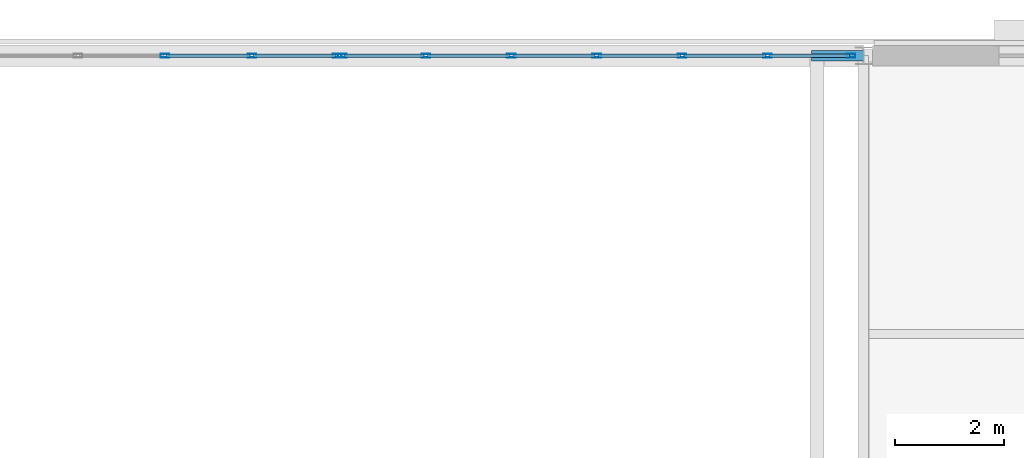
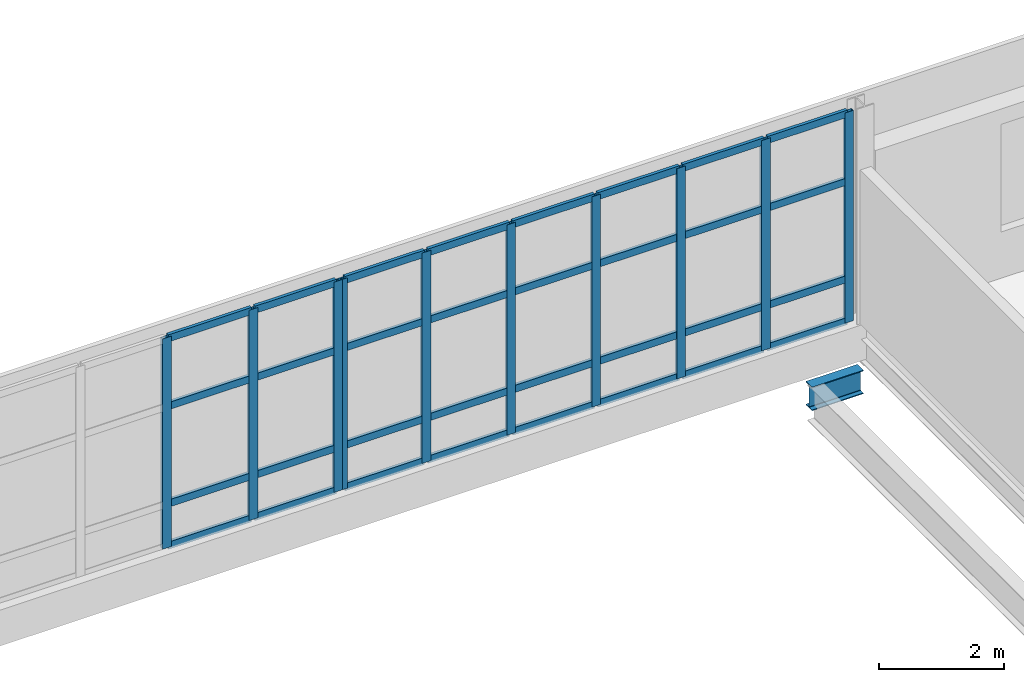
# One storey, part 59 of 170: 42 members, 1 beam, 2 elements without a shape of their own.
"""IFC4 building model written with IfcOpenShell, lengths in metres."""

from ifc_helpers import new_model, si_unit, direction, frame, origin, origin_2d, place, context, subcontext, project, spatial, hollow_rectangle, i_section, extrude, material, material_profile, profile_set, type_object, element, aggregate, save


model = new_model("IFC4")

# Units and contexts
model_context = context("Model", 3, precision=1e-05, world=origin(), true_north=direction((0.0, 1.0)))
body_context = subcontext(model_context, "Body", "Model", "MODEL_VIEW")
ifc_project = project(units=[si_unit("LENGTHUNIT", "METRE"), si_unit("AREAUNIT", "SQUARE_METRE"), si_unit("VOLUMEUNIT", "CUBIC_METRE"), si_unit("PLANEANGLEUNIT", "RADIAN"), si_unit("MASSUNIT", "GRAM", prefix="KILO")], contexts=[model_context])

# Site, building, storey
site_placement = place(None, origin())
site = spatial("IfcSite", under=ifc_project, at=site_placement, CompositionType="ELEMENT")
building_placement = place(site_placement, origin())
building = spatial("IfcBuilding", under=site, at=building_placement, Name="Vondelvale Polytechnic", CompositionType="ELEMENT")
storey_placement = place(building_placement, frame((0.0, 0.0, 5.39990234375)))
storey = spatial("IfcBuildingStorey", under=building, at=storey_placement, Name="L01", CompositionType="ELEMENT", Elevation=5.39990234375)

# Beam
ifc_material_1 = material(Name="Steel 300PLUS (fy = 300 MPa)", Category="steel")
ifc_material_profile_1 = material_profile(ifc_material_1, i_section(OverallWidth=0.19091796875, OverallDepth=0.4599609375, WebThickness=0.010009765625, FlangeThickness=0.01611328125, FilletRadius=0.011474609375, at=origin_2d()), Name="460UB82.1")
ifc_profile_set_1 = profile_set([ifc_material_profile_1], Name="Steel 300PLUS (fy = 300 MPa)")
beam_type = type_object("IfcBeamType", Name="BM-UB460H", PredefinedType="BEAM", material=ifc_profile_set_1)
beam_placement = place(storey_placement, frame((27.85009765625, 122.39990234375, -1.2099609375), z_axis=(1.0, 0.0, 0.0), x_axis=(0.0, 1.0, 0.0)))
element("IfcBeam", 1, at=beam_placement, inside=storey, type_object=beam_type, Name="L01 CRB B-12", PredefinedType="BEAM", context=body_context, shape_type="SweptSolid", body=[
    extrude(i_section(OverallWidth=0.19091796875, OverallDepth=0.4599609375, WebThickness=0.010009765625, FlangeThickness=0.01611328125, FilletRadius=0.011474609375, at=origin_2d()), origin(), (0.0, 0.0, 1.0), 0.949951171875),
])

# Curtain wall, members
ifc_material_2 = material(Name="Anodised extruded aluminium 6063-T6", Category="aluminium")
curtain_wall_type = type_object("IfcCurtainWallType", Name="CW-STUDIO-NORTH", PredefinedType="NOTDEFINED", material=ifc_material_2)
curtain_wall_1_placement = place(storey_placement, origin())
curtain_wall_1 = element("IfcCurtainWall", 2, at=curtain_wall_1_placement, inside=storey, type_object=curtain_wall_type, Name="L01 architectural curtain wall CW-01-002", PredefinedType="NOTDEFINED")
ifc_material_profile_2 = material_profile(ifc_material_2, hollow_rectangle(XDim=0.06494140625, YDim=0.159912109375, WallThickness=0.0048828125, at=origin_2d()), Name="CW-MUL-160x65")
ifc_profile_set_2 = profile_set([ifc_material_profile_2], Name="Anodised extruded aluminium 6063-T6")
member_type_1 = type_object("IfcMemberType", Name="CW-MUL-65x160", PredefinedType="MULLION", material=ifc_profile_set_2)
member_1_placement = place(storey_placement, frame((15.9951171875, 122.39990234375, 0.0), z_axis=(0.0, 0.0, 1.0), x_axis=(0.0, 1.0, 0.0)))
member_1 = element("IfcMember", 3, at=member_1_placement, type_object=member_type_1, Name="CW-01-002 mullion 5", PredefinedType="MULLION", context=body_context, shape_type="SweptSolid", body=[
    extrude(hollow_rectangle(XDim=0.06494140625, YDim=0.159912109375, WallThickness=0.0048828125, at=origin_2d()), origin(), (0.0, 0.0, 1.0), 4.10009765625),
])
member_2_placement = place(storey_placement, frame((17.590087890625, 122.39990234375, 0.0), z_axis=(0.0, 0.0, 1.0), x_axis=(0.0, 1.0, 0.0)))
member_2 = element("IfcMember", 4, at=member_2_placement, type_object=member_type_1, Name="CW-01-002 mullion 6", PredefinedType="MULLION", context=body_context, shape_type="SweptSolid", body=[
    extrude(hollow_rectangle(XDim=0.06494140625, YDim=0.159912109375, WallThickness=0.0048828125, at=origin_2d()), origin(), (0.0, 0.0, 1.0), 4.10009765625),
])
member_3_placement = place(storey_placement, frame((19.152587890625, 122.39990234375, 0.0), z_axis=(0.0, 0.0, 1.0), x_axis=(0.0, 1.0, 0.0)))
member_3 = element("IfcMember", 5, at=member_3_placement, type_object=member_type_1, Name="CW-01-002 mullion 7", PredefinedType="MULLION", context=body_context, shape_type="SweptSolid", body=[
    extrude(hollow_rectangle(XDim=0.06494140625, YDim=0.159912109375, WallThickness=0.0048828125, at=origin_2d()), origin(), (0.0, 0.0, 1.0), 4.10009765625),
])

curtain_wall_2_placement = place(storey_placement, origin())
curtain_wall_2 = element("IfcCurtainWall", 6, at=curtain_wall_2_placement, inside=storey, type_object=curtain_wall_type, Name="L01 architectural curtain wall CW-01-003", PredefinedType="NOTDEFINED")
member_4_placement = place(storey_placement, frame((19.24755859375, 122.39990234375, 0.0), z_axis=(0.0, 0.0, 1.0), x_axis=(0.0, 1.0, 0.0)))
member_4 = element("IfcMember", 7, at=member_4_placement, type_object=member_type_1, Name="CW-01-003 mullion 1", PredefinedType="MULLION", context=body_context, shape_type="SweptSolid", body=[
    extrude(hollow_rectangle(XDim=0.06494140625, YDim=0.159912109375, WallThickness=0.0048828125, at=origin_2d()), origin(), (0.0, 0.0, 1.0), 4.10009765625),
])
member_5_placement = place(storey_placement, frame((20.7802734375, 122.39990234375, 0.0), z_axis=(0.0, 0.0, 1.0), x_axis=(0.0, 1.0, 0.0)))
member_5 = element("IfcMember", 8, at=member_5_placement, type_object=member_type_1, Name="CW-01-003 mullion 2", PredefinedType="MULLION", context=body_context, shape_type="SweptSolid", body=[
    extrude(hollow_rectangle(XDim=0.06494140625, YDim=0.159912109375, WallThickness=0.0048828125, at=origin_2d()), origin(), (0.0, 0.0, 1.0), 4.10009765625),
])
member_6_placement = place(storey_placement, frame((22.345458984375, 122.39990234375, 0.0), z_axis=(0.0, 0.0, 1.0), x_axis=(0.0, 1.0, 0.0)))
member_6 = element("IfcMember", 9, at=member_6_placement, type_object=member_type_1, Name="CW-01-003 mullion 3", PredefinedType="MULLION", context=body_context, shape_type="SweptSolid", body=[
    extrude(hollow_rectangle(XDim=0.06494140625, YDim=0.159912109375, WallThickness=0.0048828125, at=origin_2d()), origin(), (0.0, 0.0, 1.0), 4.10009765625),
])
member_7_placement = place(storey_placement, frame((23.91064453125, 122.39990234375, 0.0), z_axis=(0.0, 0.0, 1.0), x_axis=(0.0, 1.0, 0.0)))
member_7 = element("IfcMember", 10, at=member_7_placement, type_object=member_type_1, Name="CW-01-003 mullion 4", PredefinedType="MULLION", context=body_context, shape_type="SweptSolid", body=[
    extrude(hollow_rectangle(XDim=0.06494140625, YDim=0.159912109375, WallThickness=0.0048828125, at=origin_2d()), origin(), (0.0, 0.0, 1.0), 4.10009765625),
])
member_8_placement = place(storey_placement, frame((25.47607421875, 122.39990234375, 0.0), z_axis=(0.0, 0.0, 1.0), x_axis=(0.0, 1.0, 0.0)))
member_8 = element("IfcMember", 11, at=member_8_placement, type_object=member_type_1, Name="CW-01-003 mullion 5", PredefinedType="MULLION", context=body_context, shape_type="SweptSolid", body=[
    extrude(hollow_rectangle(XDim=0.06494140625, YDim=0.159912109375, WallThickness=0.0048828125, at=origin_2d()), origin(), (0.0, 0.0, 1.0), 4.10009765625),
])
member_9_placement = place(storey_placement, frame((27.041259765625, 122.39990234375, 0.0), z_axis=(0.0, 0.0, 1.0), x_axis=(0.0, 1.0, 0.0)))
member_9 = element("IfcMember", 12, at=member_9_placement, type_object=member_type_1, Name="CW-01-003 mullion 6", PredefinedType="MULLION", context=body_context, shape_type="SweptSolid", body=[
    extrude(hollow_rectangle(XDim=0.06494140625, YDim=0.159912109375, WallThickness=0.0048828125, at=origin_2d()), origin(), (0.0, 0.0, 1.0), 4.10009765625),
])
member_10_placement = place(storey_placement, frame((28.573974609375, 122.39990234375, 0.0), z_axis=(0.0, 0.0, 1.0), x_axis=(0.0, 1.0, 0.0)))
member_10 = element("IfcMember", 13, at=member_10_placement, type_object=member_type_1, Name="CW-01-003 mullion 7", PredefinedType="MULLION", context=body_context, shape_type="SweptSolid", body=[
    extrude(hollow_rectangle(XDim=0.06494140625, YDim=0.159912109375, WallThickness=0.0048828125, at=origin_2d()), origin(), (0.0, 0.0, 1.0), 4.10009765625),
])

# Member
ifc_material_profile_3 = material_profile(ifc_material_2, hollow_rectangle(XDim=0.06005859375, YDim=0.139892578125, WallThickness=0.00341796875, at=origin_2d()), Name="CW-TRN-140x60")
ifc_profile_set_3 = profile_set([ifc_material_profile_3], Name="Anodised extruded aluminium 6063-T6")
member_type_2 = type_object("IfcMemberType", Name="CW-TRN-60x140", PredefinedType="USERDEFINED", material=ifc_profile_set_3)
member_11_placement = place(storey_placement, frame((16.027587890625, 122.39990234375, 0.030029296875), z_axis=(1.0, 0.0, 0.0), x_axis=(0.0, 1.0, 0.0)))
member_11 = element("IfcMember", 14, at=member_11_placement, type_object=member_type_2, Name="CW-01-002 transom 5.1", ObjectType="TRANSOM", PredefinedType="USERDEFINED", context=body_context, shape_type="SweptSolid", body=[
    extrude(hollow_rectangle(XDim=0.06005859375, YDim=0.139892578125, WallThickness=0.00341796875, at=origin_2d()), origin(), (0.0, 0.0, 1.0), 1.530029296875),
])

member_12_placement = place(storey_placement, frame((16.027587890625, 122.39990234375, 0.85009765625), z_axis=(1.0, 0.0, 0.0), x_axis=(0.0, 1.0, 0.0)))
member_12 = element("IfcMember", 15, at=member_12_placement, type_object=member_type_2, Name="CW-01-002 transom 5.2", ObjectType="TRANSOM", PredefinedType="USERDEFINED", context=body_context, shape_type="SweptSolid", body=[
    extrude(hollow_rectangle(XDim=0.06005859375, YDim=0.139892578125, WallThickness=0.00341796875, at=origin_2d()), origin(), (0.0, 0.0, 1.0), 1.530029296875),
])

member_13_placement = place(storey_placement, frame((16.027587890625, 122.39990234375, 2.75), z_axis=(1.0, 0.0, 0.0), x_axis=(0.0, 1.0, 0.0)))
member_13 = element("IfcMember", 16, at=member_13_placement, type_object=member_type_2, Name="CW-01-002 transom 5.3", ObjectType="TRANSOM", PredefinedType="USERDEFINED", context=body_context, shape_type="SweptSolid", body=[
    extrude(hollow_rectangle(XDim=0.06005859375, YDim=0.139892578125, WallThickness=0.00341796875, at=origin_2d()), origin(), (0.0, 0.0, 1.0), 1.530029296875),
])

member_14_placement = place(storey_placement, frame((16.027587890625, 122.39990234375, 4.070068359375), z_axis=(1.0, 0.0, 0.0), x_axis=(0.0, 1.0, 0.0)))
member_14 = element("IfcMember", 17, at=member_14_placement, type_object=member_type_2, Name="CW-01-002 transom 5.4", ObjectType="TRANSOM", PredefinedType="USERDEFINED", context=body_context, shape_type="SweptSolid", body=[
    extrude(hollow_rectangle(XDim=0.06005859375, YDim=0.139892578125, WallThickness=0.00341796875, at=origin_2d()), origin(), (0.0, 0.0, 1.0), 1.530029296875),
])

member_15_placement = place(storey_placement, frame((17.62255859375, 122.39990234375, 0.030029296875), z_axis=(1.0, 0.0, 0.0), x_axis=(0.0, 1.0, 0.0)))
member_15 = element("IfcMember", 18, at=member_15_placement, type_object=member_type_2, Name="CW-01-002 transom 6.1", ObjectType="TRANSOM", PredefinedType="USERDEFINED", context=body_context, shape_type="SweptSolid", body=[
    extrude(hollow_rectangle(XDim=0.06005859375, YDim=0.139892578125, WallThickness=0.00341796875, at=origin_2d()), origin(), (0.0, 0.0, 1.0), 1.49755859375),
])

member_16_placement = place(storey_placement, frame((17.62255859375, 122.39990234375, 0.85009765625), z_axis=(1.0, 0.0, 0.0), x_axis=(0.0, 1.0, 0.0)))
member_16 = element("IfcMember", 19, at=member_16_placement, type_object=member_type_2, Name="CW-01-002 transom 6.2", ObjectType="TRANSOM", PredefinedType="USERDEFINED", context=body_context, shape_type="SweptSolid", body=[
    extrude(hollow_rectangle(XDim=0.06005859375, YDim=0.139892578125, WallThickness=0.00341796875, at=origin_2d()), origin(), (0.0, 0.0, 1.0), 1.49755859375),
])

member_17_placement = place(storey_placement, frame((17.62255859375, 122.39990234375, 2.75), z_axis=(1.0, 0.0, 0.0), x_axis=(0.0, 1.0, 0.0)))
member_17 = element("IfcMember", 20, at=member_17_placement, type_object=member_type_2, Name="CW-01-002 transom 6.3", ObjectType="TRANSOM", PredefinedType="USERDEFINED", context=body_context, shape_type="SweptSolid", body=[
    extrude(hollow_rectangle(XDim=0.06005859375, YDim=0.139892578125, WallThickness=0.00341796875, at=origin_2d()), origin(), (0.0, 0.0, 1.0), 1.49755859375),
])

member_18_placement = place(storey_placement, frame((17.62255859375, 122.39990234375, 4.070068359375), z_axis=(1.0, 0.0, 0.0), x_axis=(0.0, 1.0, 0.0)))
member_18 = element("IfcMember", 21, at=member_18_placement, type_object=member_type_2, Name="CW-01-002 transom 6.4", ObjectType="TRANSOM", PredefinedType="USERDEFINED", context=body_context, shape_type="SweptSolid", body=[
    extrude(hollow_rectangle(XDim=0.06005859375, YDim=0.139892578125, WallThickness=0.00341796875, at=origin_2d()), origin(), (0.0, 0.0, 1.0), 1.49755859375),
])

aggregate(curtain_wall_1, [member_1, member_2, member_3, member_11, member_12, member_13, member_14, member_15, member_16, member_17, member_18])

member_19_placement = place(storey_placement, frame((19.280029296875, 122.39990234375, 0.030029296875), z_axis=(1.0, 0.0, 0.0), x_axis=(0.0, 1.0, 0.0)))
member_19 = element("IfcMember", 22, at=member_19_placement, type_object=member_type_2, Name="CW-01-003 transom 1.1", ObjectType="TRANSOM", PredefinedType="USERDEFINED", context=body_context, shape_type="SweptSolid", body=[
    extrude(hollow_rectangle(XDim=0.06005859375, YDim=0.139892578125, WallThickness=0.00341796875, at=origin_2d()), origin(), (0.0, 0.0, 1.0), 1.4677734375),
])

member_20_placement = place(storey_placement, frame((19.280029296875, 122.39990234375, 0.85009765625), z_axis=(1.0, 0.0, 0.0), x_axis=(0.0, 1.0, 0.0)))
member_20 = element("IfcMember", 23, at=member_20_placement, type_object=member_type_2, Name="CW-01-003 transom 1.2", ObjectType="TRANSOM", PredefinedType="USERDEFINED", context=body_context, shape_type="SweptSolid", body=[
    extrude(hollow_rectangle(XDim=0.06005859375, YDim=0.139892578125, WallThickness=0.00341796875, at=origin_2d()), origin(), (0.0, 0.0, 1.0), 1.4677734375),
])

member_21_placement = place(storey_placement, frame((19.280029296875, 122.39990234375, 2.75), z_axis=(1.0, 0.0, 0.0), x_axis=(0.0, 1.0, 0.0)))
member_21 = element("IfcMember", 24, at=member_21_placement, type_object=member_type_2, Name="CW-01-003 transom 1.3", ObjectType="TRANSOM", PredefinedType="USERDEFINED", context=body_context, shape_type="SweptSolid", body=[
    extrude(hollow_rectangle(XDim=0.06005859375, YDim=0.139892578125, WallThickness=0.00341796875, at=origin_2d()), origin(), (0.0, 0.0, 1.0), 1.4677734375),
])

member_22_placement = place(storey_placement, frame((19.280029296875, 122.39990234375, 4.070068359375), z_axis=(1.0, 0.0, 0.0), x_axis=(0.0, 1.0, 0.0)))
member_22 = element("IfcMember", 25, at=member_22_placement, type_object=member_type_2, Name="CW-01-003 transom 1.4", ObjectType="TRANSOM", PredefinedType="USERDEFINED", context=body_context, shape_type="SweptSolid", body=[
    extrude(hollow_rectangle(XDim=0.06005859375, YDim=0.139892578125, WallThickness=0.00341796875, at=origin_2d()), origin(), (0.0, 0.0, 1.0), 1.4677734375),
])

member_23_placement = place(storey_placement, frame((20.812744140625, 122.39990234375, 0.030029296875), z_axis=(1.0, 0.0, 0.0), x_axis=(0.0, 1.0, 0.0)))
member_23 = element("IfcMember", 26, at=member_23_placement, type_object=member_type_2, Name="CW-01-003 transom 2.1", ObjectType="TRANSOM", PredefinedType="USERDEFINED", context=body_context, shape_type="SweptSolid", body=[
    extrude(hollow_rectangle(XDim=0.06005859375, YDim=0.139892578125, WallThickness=0.00341796875, at=origin_2d()), origin(), (0.0, 0.0, 1.0), 1.500244140625),
])

member_24_placement = place(storey_placement, frame((20.812744140625, 122.39990234375, 0.85009765625), z_axis=(1.0, 0.0, 0.0), x_axis=(0.0, 1.0, 0.0)))
member_24 = element("IfcMember", 27, at=member_24_placement, type_object=member_type_2, Name="CW-01-003 transom 2.2", ObjectType="TRANSOM", PredefinedType="USERDEFINED", context=body_context, shape_type="SweptSolid", body=[
    extrude(hollow_rectangle(XDim=0.06005859375, YDim=0.139892578125, WallThickness=0.00341796875, at=origin_2d()), origin(), (0.0, 0.0, 1.0), 1.500244140625),
])

member_25_placement = place(storey_placement, frame((20.812744140625, 122.39990234375, 2.75), z_axis=(1.0, 0.0, 0.0), x_axis=(0.0, 1.0, 0.0)))
member_25 = element("IfcMember", 28, at=member_25_placement, type_object=member_type_2, Name="CW-01-003 transom 2.3", ObjectType="TRANSOM", PredefinedType="USERDEFINED", context=body_context, shape_type="SweptSolid", body=[
    extrude(hollow_rectangle(XDim=0.06005859375, YDim=0.139892578125, WallThickness=0.00341796875, at=origin_2d()), origin(), (0.0, 0.0, 1.0), 1.500244140625),
])

member_26_placement = place(storey_placement, frame((20.812744140625, 122.39990234375, 4.070068359375), z_axis=(1.0, 0.0, 0.0), x_axis=(0.0, 1.0, 0.0)))
member_26 = element("IfcMember", 29, at=member_26_placement, type_object=member_type_2, Name="CW-01-003 transom 2.4", ObjectType="TRANSOM", PredefinedType="USERDEFINED", context=body_context, shape_type="SweptSolid", body=[
    extrude(hollow_rectangle(XDim=0.06005859375, YDim=0.139892578125, WallThickness=0.00341796875, at=origin_2d()), origin(), (0.0, 0.0, 1.0), 1.500244140625),
])

member_27_placement = place(storey_placement, frame((22.3779296875, 122.39990234375, 0.030029296875), z_axis=(1.0, 0.0, 0.0), x_axis=(0.0, 1.0, 0.0)))
member_27 = element("IfcMember", 30, at=member_27_placement, type_object=member_type_2, Name="CW-01-003 transom 3.1", ObjectType="TRANSOM", PredefinedType="USERDEFINED", context=body_context, shape_type="SweptSolid", body=[
    extrude(hollow_rectangle(XDim=0.06005859375, YDim=0.139892578125, WallThickness=0.00341796875, at=origin_2d()), origin(), (0.0, 0.0, 1.0), 1.500244140625),
])

member_28_placement = place(storey_placement, frame((22.3779296875, 122.39990234375, 0.85009765625), z_axis=(1.0, 0.0, 0.0), x_axis=(0.0, 1.0, 0.0)))
member_28 = element("IfcMember", 31, at=member_28_placement, type_object=member_type_2, Name="CW-01-003 transom 3.2", ObjectType="TRANSOM", PredefinedType="USERDEFINED", context=body_context, shape_type="SweptSolid", body=[
    extrude(hollow_rectangle(XDim=0.06005859375, YDim=0.139892578125, WallThickness=0.00341796875, at=origin_2d()), origin(), (0.0, 0.0, 1.0), 1.500244140625),
])

member_29_placement = place(storey_placement, frame((22.3779296875, 122.39990234375, 2.75), z_axis=(1.0, 0.0, 0.0), x_axis=(0.0, 1.0, 0.0)))
member_29 = element("IfcMember", 32, at=member_29_placement, type_object=member_type_2, Name="CW-01-003 transom 3.3", ObjectType="TRANSOM", PredefinedType="USERDEFINED", context=body_context, shape_type="SweptSolid", body=[
    extrude(hollow_rectangle(XDim=0.06005859375, YDim=0.139892578125, WallThickness=0.00341796875, at=origin_2d()), origin(), (0.0, 0.0, 1.0), 1.500244140625),
])

member_30_placement = place(storey_placement, frame((22.3779296875, 122.39990234375, 4.070068359375), z_axis=(1.0, 0.0, 0.0), x_axis=(0.0, 1.0, 0.0)))
member_30 = element("IfcMember", 33, at=member_30_placement, type_object=member_type_2, Name="CW-01-003 transom 3.4", ObjectType="TRANSOM", PredefinedType="USERDEFINED", context=body_context, shape_type="SweptSolid", body=[
    extrude(hollow_rectangle(XDim=0.06005859375, YDim=0.139892578125, WallThickness=0.00341796875, at=origin_2d()), origin(), (0.0, 0.0, 1.0), 1.500244140625),
])

member_31_placement = place(storey_placement, frame((23.943359375, 122.39990234375, 0.030029296875), z_axis=(1.0, 0.0, 0.0), x_axis=(0.0, 1.0, 0.0)))
member_31 = element("IfcMember", 34, at=member_31_placement, type_object=member_type_2, Name="CW-01-003 transom 4.1", ObjectType="TRANSOM", PredefinedType="USERDEFINED", context=body_context, shape_type="SweptSolid", body=[
    extrude(hollow_rectangle(XDim=0.06005859375, YDim=0.139892578125, WallThickness=0.00341796875, at=origin_2d()), origin(), (0.0, 0.0, 1.0), 1.500244140625),
])

member_32_placement = place(storey_placement, frame((23.943359375, 122.39990234375, 0.85009765625), z_axis=(1.0, 0.0, 0.0), x_axis=(0.0, 1.0, 0.0)))
member_32 = element("IfcMember", 35, at=member_32_placement, type_object=member_type_2, Name="CW-01-003 transom 4.2", ObjectType="TRANSOM", PredefinedType="USERDEFINED", context=body_context, shape_type="SweptSolid", body=[
    extrude(hollow_rectangle(XDim=0.06005859375, YDim=0.139892578125, WallThickness=0.00341796875, at=origin_2d()), origin(), (0.0, 0.0, 1.0), 1.500244140625),
])

member_33_placement = place(storey_placement, frame((23.943359375, 122.39990234375, 2.75), z_axis=(1.0, 0.0, 0.0), x_axis=(0.0, 1.0, 0.0)))
member_33 = element("IfcMember", 36, at=member_33_placement, type_object=member_type_2, Name="CW-01-003 transom 4.3", ObjectType="TRANSOM", PredefinedType="USERDEFINED", context=body_context, shape_type="SweptSolid", body=[
    extrude(hollow_rectangle(XDim=0.06005859375, YDim=0.139892578125, WallThickness=0.00341796875, at=origin_2d()), origin(), (0.0, 0.0, 1.0), 1.500244140625),
])

member_34_placement = place(storey_placement, frame((23.943359375, 122.39990234375, 4.070068359375), z_axis=(1.0, 0.0, 0.0), x_axis=(0.0, 1.0, 0.0)))
member_34 = element("IfcMember", 37, at=member_34_placement, type_object=member_type_2, Name="CW-01-003 transom 4.4", ObjectType="TRANSOM", PredefinedType="USERDEFINED", context=body_context, shape_type="SweptSolid", body=[
    extrude(hollow_rectangle(XDim=0.06005859375, YDim=0.139892578125, WallThickness=0.00341796875, at=origin_2d()), origin(), (0.0, 0.0, 1.0), 1.500244140625),
])

member_35_placement = place(storey_placement, frame((25.508544921875, 122.39990234375, 0.030029296875), z_axis=(1.0, 0.0, 0.0), x_axis=(0.0, 1.0, 0.0)))
member_35 = element("IfcMember", 38, at=member_35_placement, type_object=member_type_2, Name="CW-01-003 transom 5.1", ObjectType="TRANSOM", PredefinedType="USERDEFINED", context=body_context, shape_type="SweptSolid", body=[
    extrude(hollow_rectangle(XDim=0.06005859375, YDim=0.139892578125, WallThickness=0.00341796875, at=origin_2d()), origin(), (0.0, 0.0, 1.0), 1.500244140625),
])

member_36_placement = place(storey_placement, frame((25.508544921875, 122.39990234375, 0.85009765625), z_axis=(1.0, 0.0, 0.0), x_axis=(0.0, 1.0, 0.0)))
member_36 = element("IfcMember", 39, at=member_36_placement, type_object=member_type_2, Name="CW-01-003 transom 5.2", ObjectType="TRANSOM", PredefinedType="USERDEFINED", context=body_context, shape_type="SweptSolid", body=[
    extrude(hollow_rectangle(XDim=0.06005859375, YDim=0.139892578125, WallThickness=0.00341796875, at=origin_2d()), origin(), (0.0, 0.0, 1.0), 1.500244140625),
])

member_37_placement = place(storey_placement, frame((25.508544921875, 122.39990234375, 2.75), z_axis=(1.0, 0.0, 0.0), x_axis=(0.0, 1.0, 0.0)))
member_37 = element("IfcMember", 40, at=member_37_placement, type_object=member_type_2, Name="CW-01-003 transom 5.3", ObjectType="TRANSOM", PredefinedType="USERDEFINED", context=body_context, shape_type="SweptSolid", body=[
    extrude(hollow_rectangle(XDim=0.06005859375, YDim=0.139892578125, WallThickness=0.00341796875, at=origin_2d()), origin(), (0.0, 0.0, 1.0), 1.500244140625),
])

member_38_placement = place(storey_placement, frame((25.508544921875, 122.39990234375, 4.070068359375), z_axis=(1.0, 0.0, 0.0), x_axis=(0.0, 1.0, 0.0)))
member_38 = element("IfcMember", 41, at=member_38_placement, type_object=member_type_2, Name="CW-01-003 transom 5.4", ObjectType="TRANSOM", PredefinedType="USERDEFINED", context=body_context, shape_type="SweptSolid", body=[
    extrude(hollow_rectangle(XDim=0.06005859375, YDim=0.139892578125, WallThickness=0.00341796875, at=origin_2d()), origin(), (0.0, 0.0, 1.0), 1.500244140625),
])

member_39_placement = place(storey_placement, frame((27.07373046875, 122.39990234375, 0.030029296875), z_axis=(1.0, 0.0, 0.0), x_axis=(0.0, 1.0, 0.0)))
member_39 = element("IfcMember", 42, at=member_39_placement, type_object=member_type_2, Name="CW-01-003 transom 6.1", ObjectType="TRANSOM", PredefinedType="USERDEFINED", context=body_context, shape_type="SweptSolid", body=[
    extrude(hollow_rectangle(XDim=0.06005859375, YDim=0.139892578125, WallThickness=0.00341796875, at=origin_2d()), origin(), (0.0, 0.0, 1.0), 1.4677734375),
])

member_40_placement = place(storey_placement, frame((27.07373046875, 122.39990234375, 0.85009765625), z_axis=(1.0, 0.0, 0.0), x_axis=(0.0, 1.0, 0.0)))
member_40 = element("IfcMember", 43, at=member_40_placement, type_object=member_type_2, Name="CW-01-003 transom 6.2", ObjectType="TRANSOM", PredefinedType="USERDEFINED", context=body_context, shape_type="SweptSolid", body=[
    extrude(hollow_rectangle(XDim=0.06005859375, YDim=0.139892578125, WallThickness=0.00341796875, at=origin_2d()), origin(), (0.0, 0.0, 1.0), 1.4677734375),
])

member_41_placement = place(storey_placement, frame((27.07373046875, 122.39990234375, 2.75), z_axis=(1.0, 0.0, 0.0), x_axis=(0.0, 1.0, 0.0)))
member_41 = element("IfcMember", 44, at=member_41_placement, type_object=member_type_2, Name="CW-01-003 transom 6.3", ObjectType="TRANSOM", PredefinedType="USERDEFINED", context=body_context, shape_type="SweptSolid", body=[
    extrude(hollow_rectangle(XDim=0.06005859375, YDim=0.139892578125, WallThickness=0.00341796875, at=origin_2d()), origin(), (0.0, 0.0, 1.0), 1.4677734375),
])

member_42_placement = place(storey_placement, frame((27.07373046875, 122.39990234375, 4.070068359375), z_axis=(1.0, 0.0, 0.0), x_axis=(0.0, 1.0, 0.0)))
member_42 = element("IfcMember", 45, at=member_42_placement, type_object=member_type_2, Name="CW-01-003 transom 6.4", ObjectType="TRANSOM", PredefinedType="USERDEFINED", context=body_context, shape_type="SweptSolid", body=[
    extrude(hollow_rectangle(XDim=0.06005859375, YDim=0.139892578125, WallThickness=0.00341796875, at=origin_2d()), origin(), (0.0, 0.0, 1.0), 1.4677734375),
])

aggregate(curtain_wall_2, [member_4, member_5, member_6, member_7, member_8, member_9, member_10, member_19, member_20, member_21, member_22, member_23, member_24, member_25, member_26, member_27, member_28, member_29, member_30, member_31, member_32, member_33, member_34, member_35, member_36, member_37, member_38, member_39, member_40, member_41, member_42])

save(model, "model.ifc")
